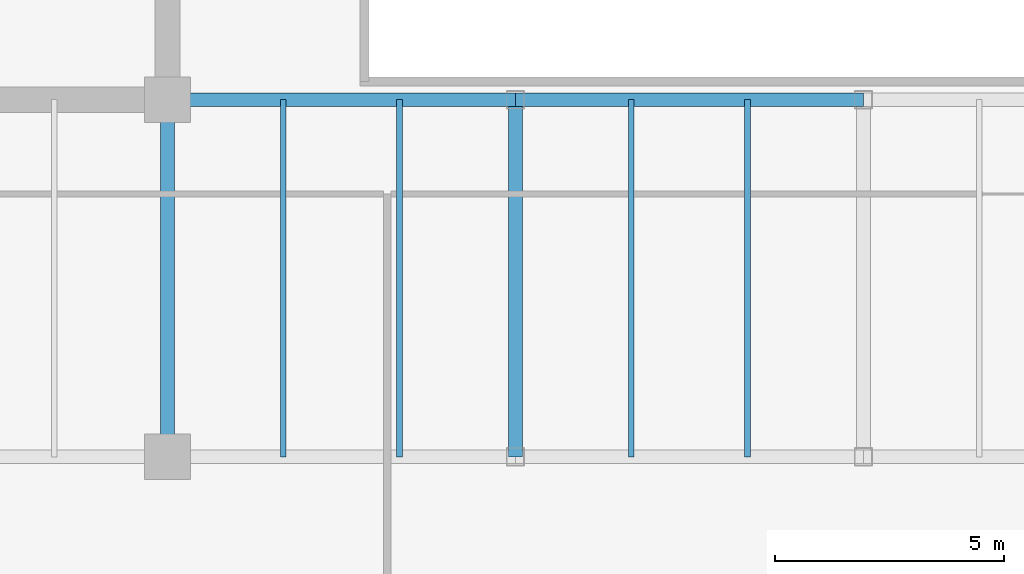
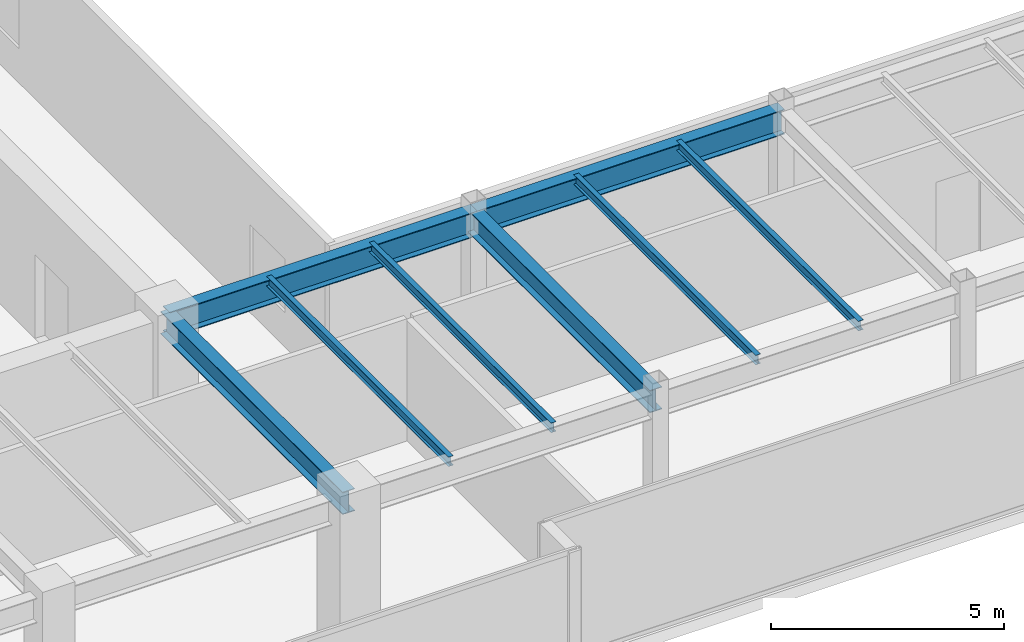
# One storey, part 8 of 33: 8 beams.
"""IFC4 building model written with IfcOpenShell, lengths in metres."""

from ifc_helpers import new_model, si_unit, direction, frame, origin, origin_2d, place, context, subcontext, project, spatial, i_section, extrude, source, transform, mapped, material, material_profile, profile_set, type_object, type_shapes, element, save


model = new_model("IFC4")

# Units and contexts
model_context = context("Model", 3, precision=1e-05, world=origin(), true_north=direction((0.0, 1.0)))
body_context = subcontext(model_context, "Body", "Model", "MODEL_VIEW")
ifc_project = project(units=[si_unit("LENGTHUNIT", "METRE"), si_unit("AREAUNIT", "SQUARE_METRE"), si_unit("VOLUMEUNIT", "CUBIC_METRE"), si_unit("PLANEANGLEUNIT", "RADIAN"), si_unit("MASSUNIT", "GRAM", prefix="KILO")], contexts=[model_context])

# Site, building, storey
site_placement = place(None, origin())
site = spatial("IfcSite", under=ifc_project, at=site_placement, CompositionType="ELEMENT")
building_placement = place(site_placement, origin())
building = spatial("IfcBuilding", under=site, at=building_placement, Name="Haelvirn Gate Laboratories", CompositionType="ELEMENT")
storey_placement = place(building_placement, frame((0.0, 0.0, 275.199951171875)))
storey = spatial("IfcBuildingStorey", under=building, at=storey_placement, Name="L66", CompositionType="ELEMENT", Elevation=275.199951171875)

# Beams
ifc_material = material(Name="Steel SM355", Category="steel")
ifc_material_profile_1 = material_profile(ifc_material, i_section(OverallWidth=0.300048828125, OverallDepth=0.587890625, WebThickness=0.011962890625, FlangeThickness=0.02001953125, at=origin_2d()), Name="H-588x300x12x20")
ifc_profile_set_1 = profile_set([ifc_material_profile_1], Name="Steel SM355")
beam_type_1 = type_object("IfcBeamType", Name="BM-G-588", PredefinedType="BEAM", material=ifc_profile_set_1)
shared_shape_1 = source(origin(), body_context, "Body", "SweptSolid", [
    extrude(i_section(OverallWidth=0.300048828125, OverallDepth=0.587890625, WebThickness=0.011962890625, FlangeThickness=0.02001953125, at=origin_2d()), origin(), (0.0, 0.0, 1.0), 7.800048828125),
])
type_shapes(beam_type_1, [shared_shape_1])
for number, where, z_axis, x_axis, name in (
    (1, (22.199951171875, 7.0, 3.506103515625), (0.0, 1.0, 0.0), (-1.0, 0.0, 0.0), "L66 Frame Girder X22.2 (7.0-14.8)"),
    (2, (29.800048828125, 7.0, 3.506103515625), (0.0, 1.0, 0.0), (-1.0, 0.0, 0.0), "L66 Frame Girder X29.8 (7.0-14.8)"),
):
    element("IfcBeam", number, at=place(storey_placement, frame(where, z_axis=z_axis, x_axis=x_axis)), inside=storey, type_object=beam_type_1, Name=name, PredefinedType="BEAM", context=body_context, shape_type="MappedRepresentation", body=[
        mapped(shared_shape_1, transform((0.0, 0.0, 0.0), scale=1.0)),
    ])
ifc_material_profile_2 = material_profile(ifc_material, i_section(OverallWidth=0.300048828125, OverallDepth=0.64990234375, WebThickness=0.012939453125, FlangeThickness=0.02197265625, at=origin_2d()), Name="H-650x300x13x22")
ifc_profile_set_2 = profile_set([ifc_material_profile_2], Name="Steel SM355")
beam_type_2 = type_object("IfcBeamType", Name="BM-G-650", PredefinedType="BEAM", material=ifc_profile_set_2)
shared_shape_2 = source(origin(), body_context, "Body", "SweptSolid", [
    extrude(i_section(OverallWidth=0.300048828125, OverallDepth=0.64990234375, WebThickness=0.012939453125, FlangeThickness=0.02197265625, at=origin_2d()), origin(), (0.0, 0.0, 1.0), 7.60009765625),
])
beam_1_placement = place(storey_placement, frame((22.199951171875, 14.800048828125, 3.47509765625), z_axis=(1.0, 0.0, 0.0), x_axis=(0.0, 1.0, 0.0)))
element("IfcBeam", 3, at=beam_1_placement, inside=storey, type_object=beam_type_2, Name="L66 Primary Girder Y14.8 (22.2-29.8)", PredefinedType="BEAM", context=body_context, shape_type="MappedRepresentation", body=[
    mapped(shared_shape_2, transform((0.0, 0.0, 0.0), scale=1.0)),
])
shared_shape_3 = source(origin(), body_context, "Body", "SweptSolid", [
    extrude(i_section(OverallWidth=0.300048828125, OverallDepth=0.64990234375, WebThickness=0.012939453125, FlangeThickness=0.02197265625, at=origin_2d()), origin(), (0.0, 0.0, 1.0), 7.599853515625),
])
type_shapes(beam_type_2, [shared_shape_2, shared_shape_3])
beam_2_placement = place(storey_placement, frame((29.800048828125, 14.800048828125, 3.47509765625), z_axis=(1.0, 0.0, 0.0), x_axis=(0.0, 1.0, 0.0)))
element("IfcBeam", 4, at=beam_2_placement, inside=storey, type_object=beam_type_2, Name="L66 Primary Girder Y14.8 (29.8-37.4)", PredefinedType="BEAM", context=body_context, shape_type="MappedRepresentation", body=[
    mapped(shared_shape_3, transform((0.0, 0.0, 0.0), scale=1.0)),
])
ifc_material_profile_3 = material_profile(ifc_material, i_section(OverallWidth=0.125, OverallDepth=0.25, WebThickness=0.006103515625, FlangeThickness=0.009033203125, at=origin_2d()), Name="H-250x125x6x9")
ifc_profile_set_3 = profile_set([ifc_material_profile_3], Name="Steel SM355")
beam_type_3 = type_object("IfcBeamType", Name="BM-J-250", PredefinedType="JOIST", material=ifc_profile_set_3)
shared_shape_4 = source(origin(), body_context, "Body", "SweptSolid", [
    extrude(i_section(OverallWidth=0.125, OverallDepth=0.25, WebThickness=0.006103515625, FlangeThickness=0.009033203125, at=origin_2d()), origin(), (0.0, 0.0, 1.0), 7.800048828125),
])
type_shapes(beam_type_3, [shared_shape_4])
for number, where, z_axis, x_axis, name in (
    (5, (24.72998046875, 7.0, 3.675048828125), (0.0, 1.0, 0.0), (-1.0, 0.0, 0.0), "L66 Composite Lab Joist South X24.73"),
    (6, (27.27001953125, 7.0, 3.675048828125), (0.0, 1.0, 0.0), (-1.0, 0.0, 0.0), "L66 Composite Lab Joist South X27.27"),
    (7, (32.330078125, 7.0, 3.675048828125), (0.0, 1.0, 0.0), (-1.0, 0.0, 0.0), "L66 Composite Lab Joist South X32.33"),
    (8, (34.8701171875, 7.0, 3.675048828125), (0.0, 1.0, 0.0), (-1.0, 0.0, 0.0), "L66 Composite Lab Joist South X34.87"),
):
    element("IfcBeam", number, at=place(storey_placement, frame(where, z_axis=z_axis, x_axis=x_axis)), inside=storey, type_object=beam_type_3, Name=name, PredefinedType="JOIST", context=body_context, shape_type="MappedRepresentation", body=[
        mapped(shared_shape_4, transform((0.0, 0.0, 0.0), scale=1.0)),
    ])

save(model, "model.ifc")
